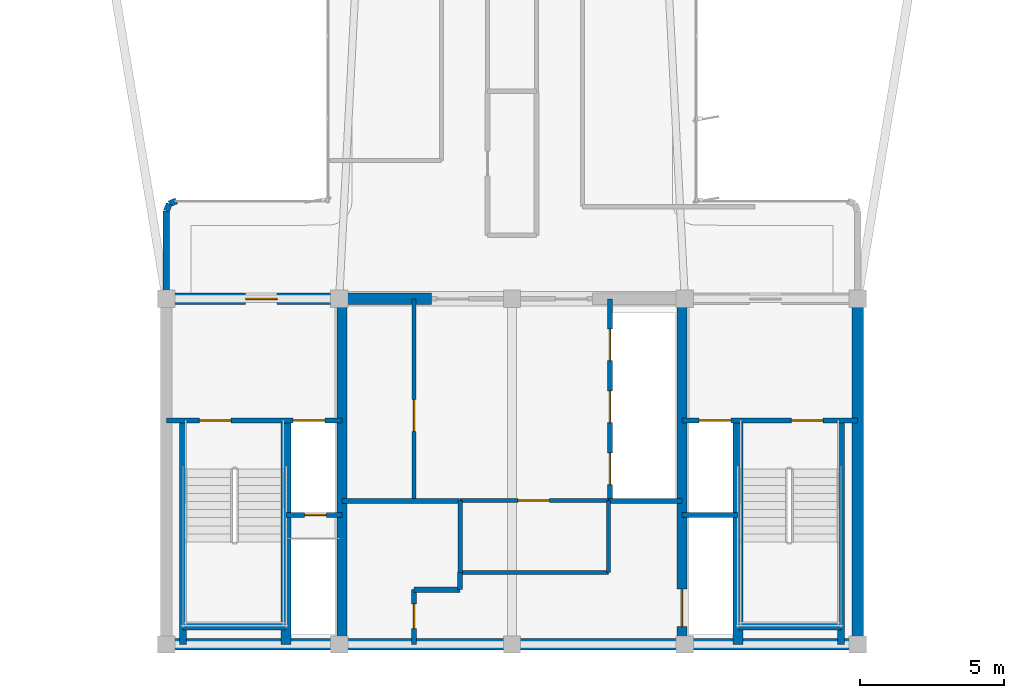
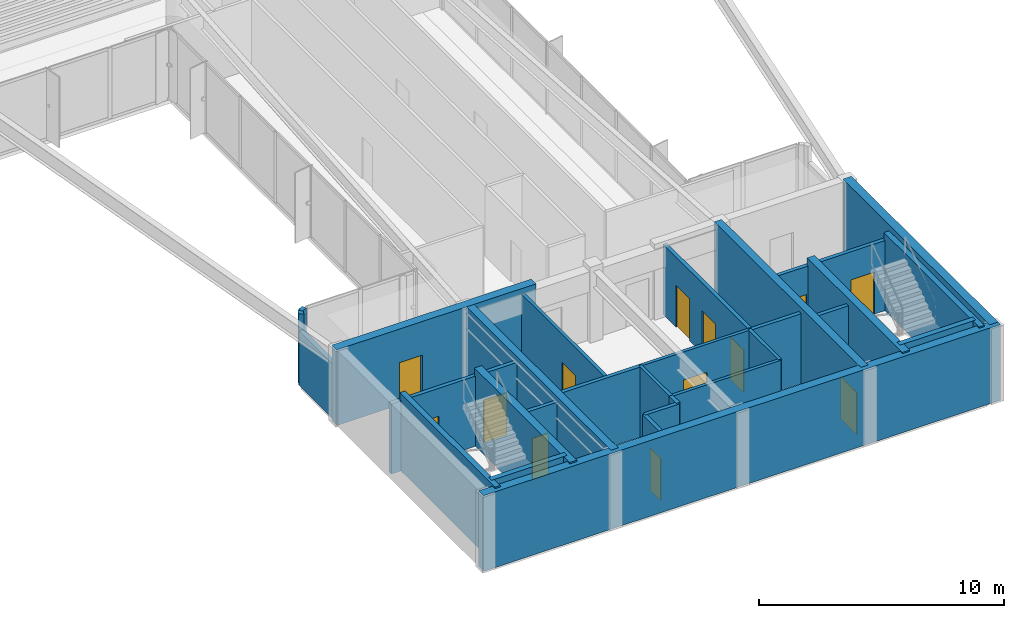
# One storey, part 10 of 15: 29 walls, 13 doors, 13 openings.
"""IFC4 building model written with IfcOpenShell, lengths in metres."""

from ifc_helpers import new_model, si_unit, direction, frame, frame_2d, origin, origin_2d, place, context, subcontext, project, spatial, rectangle, extrude, source, transform, mapped, material, layer, layer_set, type_object, element, fill, save


model = new_model("IFC4")

# Units and contexts
model_context = context("Model", 3, precision=1e-05, world=origin(), true_north=direction((0.0, 1.0)))
body_context = subcontext(model_context, "Body", "Model", "MODEL_VIEW")
ifc_project = project(units=[si_unit("LENGTHUNIT", "METRE"), si_unit("AREAUNIT", "SQUARE_METRE"), si_unit("VOLUMEUNIT", "CUBIC_METRE"), si_unit("PLANEANGLEUNIT", "RADIAN"), si_unit("MASSUNIT", "GRAM", prefix="KILO")], contexts=[model_context])

# Site, building, storey
site_placement = place(None, origin())
site = spatial("IfcSite", under=ifc_project, at=site_placement, CompositionType="ELEMENT")
building_placement = place(site_placement, origin())
building = spatial("IfcBuilding", under=site, at=building_placement, Name="Brelvock Crest Care Tower", CompositionType="ELEMENT")
storey_placement = place(building_placement, frame((0.0, 0.0, 272.159912109375)))
storey = spatial("IfcBuildingStorey", under=building, at=storey_placement, Name="L69", CompositionType="ELEMENT", Elevation=272.159912109375)

# Walls
ifc_material_1 = material(Name="Concrete S65 (65 MPa)", Category="concrete")
ifc_layer_1 = layer(ifc_material_1, 0.39990234375, Name="WL-CS4")
ifc_layer_set_1 = layer_set([ifc_layer_1], Name="Concrete S65 (65 MPa)")
wall_type_1 = type_object("IfcWallType", Name="WL-CS4", PredefinedType="SHEAR", material=ifc_layer_set_1)
wall_1_placement = place(storey_placement, frame((48.199951171875, 6.0, 0.0), z_axis=(0.0, 0.0, 1.0), x_axis=(-1.0, 0.0, 0.0)))
element("IfcWall", 1, at=wall_1_placement, inside=storey, type_object=wall_type_1, Name="L69 Core South Shear Wall", PredefinedType="SHEAR", context=body_context, shape_type="SweptSolid", body=[
    extrude(rectangle(XDim=24.39990234375, YDim=0.39990234375, at=frame_2d((12.199951171875, 0.0))), origin(), (0.0, 0.0, 1.0), 3.780029296875),
])
wall_2_placement = place(storey_placement, frame((48.0, 18.0, 0.0), z_axis=(0.0, 0.0, 1.0), x_axis=(0.0, -1.0, 0.0)))
element("IfcWall", 2, at=wall_2_placement, inside=storey, type_object=wall_type_1, Name="L69 Core East Shear Wall", PredefinedType="SHEAR", context=body_context, shape_type="SweptSolid", body=[
    extrude(rectangle(XDim=12.0, YDim=0.39990234375, at=frame_2d((6.0, 0.0))), origin(), (0.0, 0.0, 1.0), 3.780029296875),
])

# Wall, opening, door
wall_3_placement = place(storey_placement, frame((23.800048828125, 18.0, 0.0), z_axis=(0.0, 0.0, 1.0), x_axis=(1.0, 0.0, 0.0)))
wall_3 = element("IfcWall", 3, at=wall_3_placement, inside=storey, type_object=wall_type_1, Name="L69 Core North-West Shear Wall", PredefinedType="SHEAR", context=body_context, shape_type="SweptSolid", body=[
    extrude(rectangle(XDim=9.39990234375, YDim=0.39990234375, at=frame_2d((4.699951171875, 0.0))), origin(), (0.0, 0.0, 1.0), 3.780029296875),
])
opening_1_placement = place(wall_3_placement, frame((2.949951171875, 0.0, 0.0)))
opening_1 = element("IfcOpeningElement", 4, at=opening_1_placement, cuts=wall_3, Name="Opening FD-1", PredefinedType="OPENING", context=body_context, shape_type="SweptSolid", body=[
    extrude(rectangle(XDim=1.10009765625, YDim=2.10009765625, at=origin_2d()), frame((0.550048828125, 0.2099609375, 1.050048828125), z_axis=(0.0, -1.0, 0.0), x_axis=(1.0, 0.0, 0.0)), (0.0, 0.0, 1.0), 0.419921875),
])
ifc_material_2 = material(Name="Steel Grade 350", Category="steel")
door_type_1 = type_object("IfcDoorType", Name="DR-FFL1", OperationType="NOTDEFINED", PredefinedType="DOOR", material=ifc_material_2)
shared_shape_1 = source(origin(), body_context, "Body", "SweptSolid", [
    extrude(rectangle(XDim=1.10009765625, YDim=2.10009765625, at=origin_2d()), frame((0.550048828125, 0.02490234375, 1.050048828125), z_axis=(0.0, -1.0, 0.0), x_axis=(1.0, 0.0, 0.0)), (0.0, 0.0, 1.0), 0.050048828125),
])
door_1_placement = place(opening_1_placement, origin())
door_1 = element("IfcDoor", 5, at=door_1_placement, inside=storey, type_object=door_type_1, Name="L69 Firefighting Lobby FFL-1 Exit Door", OperationType="SINGLE_SWING_LEFT", OverallHeight=2.10009765625, OverallWidth=1.10009765625, PredefinedType="DOOR", context=body_context, shape_type="MappedRepresentation", body=[
    mapped(shared_shape_1, transform((0.0, 0.0, 0.0), x_axis=(1.0, 0.0, 0.0), y_axis=(0.0, 1.0, 0.0), z_axis=(0.0, 0.0, 1.0), scale=1.0)),
])
fill(opening_1, door_1)

# Wall
ifc_material_3 = material(Name="Concrete S80 (80 MPa)", Category="concrete")
ifc_layer_2 = layer(ifc_material_3, 0.35009765625, Name="WL-CS5")
ifc_layer_set_2 = layer_set([ifc_layer_2], Name="Concrete S80 (80 MPa)")
wall_type_2 = type_object("IfcWallType", Name="WL-CS5", PredefinedType="SHEAR", material=ifc_layer_set_2)
wall_4_placement = place(storey_placement, frame((30.10009765625, 6.0, 0.0), z_axis=(0.0, 0.0, 1.0), x_axis=(0.0, 1.0, 0.0)))
element("IfcWall", 6, at=wall_4_placement, inside=storey, type_object=wall_type_2, Name="L69 Core Internal Web Wall West", PredefinedType="SHEAR", context=body_context, shape_type="SweptSolid", body=[
    extrude(rectangle(XDim=12.0, YDim=0.35009765625, at=frame_2d((6.0, 0.0))), origin(), (0.0, 0.0, 1.0), 3.780029296875),
])

# Wall, opening, door
wall_5_placement = place(storey_placement, frame((41.89990234375, 18.0, 0.0), z_axis=(0.0, 0.0, 1.0), x_axis=(0.0, -1.0, 0.0)))
wall_5 = element("IfcWall", 7, at=wall_5_placement, inside=storey, type_object=wall_type_2, Name="L69 Core Internal Web Wall East", PredefinedType="SHEAR", context=body_context, shape_type="SweptSolid", body=[
    extrude(rectangle(XDim=12.0, YDim=0.35009765625, at=frame_2d((6.0, 0.0))), origin(), (0.0, 0.0, 1.0), 3.780029296875),
])
opening_2_placement = place(wall_5_placement, frame((10.080078125, 0.0, 0.0)))
opening_2 = element("IfcOpeningElement", 8, at=opening_2_placement, cuts=wall_5, Name="Opening LD-S", PredefinedType="OPENING", context=body_context, shape_type="SweptSolid", body=[
    extrude(rectangle(XDim=1.300048828125, YDim=2.10009765625, at=origin_2d()), frame((0.64990234375, 0.18505859375, 1.050048828125), z_axis=(0.0, -1.0, 0.0), x_axis=(1.0, 0.0, 0.0)), (0.0, 0.0, 1.0), 0.3701171875),
])
door_type_2 = type_object("IfcDoorType", Name="DR-LDS1", OperationType="NOTDEFINED", PredefinedType="DOOR", material=ifc_material_2)
shared_shape_2 = source(origin(), body_context, "Body", "SweptSolid", [
    extrude(rectangle(XDim=1.300048828125, YDim=2.10009765625, at=origin_2d()), frame((0.64990234375, 0.02490234375, 1.050048828125), z_axis=(0.0, -1.0, 0.0), x_axis=(1.0, 0.0, 0.0)), (0.0, 0.0, 1.0), 0.050048828125),
])
door_2_placement = place(opening_2_placement, origin())
door_2 = element("IfcDoor", 9, at=door_2_placement, inside=storey, type_object=door_type_2, Name="L69 Clinical Bed Lift SL-1 Landing Door", OperationType="SLIDING_TO_LEFT", OverallHeight=2.10009765625, OverallWidth=1.300048828125, PredefinedType="DOOR", context=body_context, shape_type="MappedRepresentation", body=[
    mapped(shared_shape_2, transform((0.0, 0.0, 0.0), x_axis=(1.0, 0.0, 0.0), y_axis=(0.0, 1.0, 0.0), z_axis=(0.0, 0.0, 1.0), scale=1.0)),
])
fill(opening_2, door_2)

# Walls
for number, where, z_axis, x_axis, name in (
    (10, (28.14990234375, 6.0, 0.0), (0.0, 0.0, 1.0), (0.0, 1.0, 0.0), "L69 Core Stair ST-1 East Shear Wall"),
    (11, (43.85009765625, 6.0, 0.0), (0.0, 0.0, 1.0), (0.0, 1.0, 0.0), "L69 Core Stair ST-2 West Shear Wall"),
):
    element("IfcWall", number, at=place(storey_placement, frame(where, z_axis=z_axis, x_axis=x_axis)), inside=storey, type_object=wall_type_2, Name=name, PredefinedType="SHEAR", context=body_context, shape_type="SweptSolid", body=[
        extrude(rectangle(XDim=7.780029296875, YDim=0.35009765625, at=frame_2d((3.89013671875, 0.0))), origin(), (0.0, 0.0, 1.0), 3.85009765625),
    ])
ifc_layer_3 = layer(ifc_material_3, 0.25, Name="WL-CS6")
ifc_layer_set_3 = layer_set([ifc_layer_3], Name="Concrete S80 (80 MPa)")
wall_type_3 = type_object("IfcWallType", Name="WL-CS6", PredefinedType="SHEAR", material=ifc_layer_set_3)
wall_6_placement = place(storey_placement, frame((24.580078125, 6.0, 0.0), z_axis=(0.0, 0.0, 1.0), x_axis=(0.0, 1.0, 0.0)))
element("IfcWall", 12, at=wall_6_placement, inside=storey, type_object=wall_type_3, Name="L69 Core Stair ST-1 West Shear Wall", PredefinedType="SHEAR", context=body_context, shape_type="SweptSolid", body=[
    extrude(rectangle(XDim=7.780029296875, YDim=0.25, at=frame_2d((3.89013671875, 0.0))), origin(), (0.0, 0.0, 1.0), 3.85009765625),
])
wall_7_placement = place(storey_placement, frame((24.580078125, 6.6201171875, 0.0), z_axis=(0.0, 0.0, 1.0), x_axis=(1.0, 0.0, 0.0)))
element("IfcWall", 13, at=wall_7_placement, inside=storey, type_object=wall_type_3, Name="L69 Core Stair ST-1 South Shear Wall", PredefinedType="SHEAR", context=body_context, shape_type="SweptSolid", body=[
    extrude(rectangle(XDim=3.56982421875, YDim=0.25, at=frame_2d((1.784912109375, 0.0))), origin(), (0.0, 0.0, 1.0), 3.85009765625),
])
wall_8_placement = place(storey_placement, frame((47.419921875, 6.0, 0.0), z_axis=(0.0, 0.0, 1.0), x_axis=(0.0, 1.0, 0.0)))
element("IfcWall", 14, at=wall_8_placement, inside=storey, type_object=wall_type_3, Name="L69 Core Stair ST-2 East Shear Wall", PredefinedType="SHEAR", context=body_context, shape_type="SweptSolid", body=[
    extrude(rectangle(XDim=7.780029296875, YDim=0.25, at=frame_2d((3.89013671875, 0.0))), origin(), (0.0, 0.0, 1.0), 3.85009765625),
])
wall_9_placement = place(storey_placement, frame((43.85009765625, 6.6201171875, 0.0), z_axis=(0.0, 0.0, 1.0), x_axis=(1.0, 0.0, 0.0)))
element("IfcWall", 15, at=wall_9_placement, inside=storey, type_object=wall_type_3, Name="L69 Core Stair ST-2 South Shear Wall", PredefinedType="SHEAR", context=body_context, shape_type="SweptSolid", body=[
    extrude(rectangle(XDim=3.56982421875, YDim=0.25, at=frame_2d((1.784912109375, 0.0))), origin(), (0.0, 0.0, 1.0), 3.85009765625),
])
ifc_material_4 = material(Name="Precast concrete N40 (40 MPa)", Category="concrete")
ifc_layer_4 = layer(ifc_material_4, 0.215087890625, Name="WL-EX2")
ifc_layer_set_4 = layer_set([ifc_layer_4], Name="Precast concrete N40 (40 MPa)")
wall_type_4 = type_object("IfcWallType", Name="WL-EX2", PredefinedType="SOLIDWALL", material=ifc_layer_set_4)
wall_10_placement = place(storey_placement, frame((24.0, 18.280029296875, 0.0), z_axis=(0.0, 0.0, 1.0), x_axis=(0.0, 1.0, 0.0)))
element("IfcWall", 16, at=wall_10_placement, inside=storey, type_object=wall_type_4, Name="L69 Rounded Corner Wall 07", PredefinedType="SOLIDWALL", context=body_context, shape_type="SweptSolid", body=[
    extrude(rectangle(XDim=2.77001953125, YDim=0.215087890625, at=frame_2d((1.385009765625, 0.0))), origin(), (0.0, 0.0, 1.0), 2.718017578125),
])
wall_11_placement = place(storey_placement, frame((24.0, 21.050048828125, 0.0), z_axis=(0.0, 0.0, 1.0), x_axis=(0.382673670509, 0.923883575944, 0.0)))
element("IfcWall", 17, at=wall_11_placement, inside=storey, type_object=wall_type_4, Name="L69 Rounded Corner Wall 08", PredefinedType="SOLIDWALL", context=body_context, shape_type="SweptSolid", body=[
    extrude(rectangle(XDim=0.26806640625, YDim=0.215087890625, at=frame_2d((0.134033203125, 0.0))), origin(), (0.0, 0.0, 1.0), 3.530029296875),
])
wall_12_placement = place(storey_placement, frame((24.1025390625, 21.297607421875, 0.0), z_axis=(0.0, 0.0, 1.0), x_axis=(0.924205486139, 0.381895560841, 0.0)))
element("IfcWall", 18, at=wall_12_placement, inside=storey, type_object=wall_type_4, Name="L69 Rounded Corner Wall 09", PredefinedType="SOLIDWALL", context=body_context, shape_type="SweptSolid", body=[
    extrude(rectangle(XDim=0.267822265625, YDim=0.215087890625, at=frame_2d((0.1337890625, 0.0))), origin(), (0.0, 0.0, 1.0), 3.530029296875),
])

# Wall, opening, door
ifc_material_5 = material(Name="Masonry Blockwork Acoustic Partition", Category="masonry")
ifc_layer_5 = layer(ifc_material_5, 0.14990234375, Name="WL-INT1")
ifc_layer_set_5 = layer_set([ifc_layer_5], Name="Masonry Blockwork Acoustic Partition")
wall_type_5 = type_object("IfcWallType", Name="WL-INT1", PredefinedType="PARTITIONING", material=ifc_layer_set_5)
wall_13_placement = place(storey_placement, frame((32.60009765625, 11.0, 0.0), z_axis=(0.0, 0.0, 1.0), x_axis=(0.0, 1.0, 0.0)))
wall_13 = element("IfcWall", 19, at=wall_13_placement, inside=storey, type_object=wall_type_5, Name="L69 Interior Wall WL-CRCL-E-L69", PredefinedType="PARTITIONING", context=body_context, shape_type="SweptSolid", body=[
    extrude(rectangle(XDim=7.0, YDim=0.14990234375, at=frame_2d((3.5, 0.0))), origin(), (0.0, 0.0, 1.0), 3.5),
])
opening_3_placement = place(wall_13_placement, frame((2.39990234375, 0.0, 0.0)))
opening_3 = element("IfcOpeningElement", 20, at=opening_3_placement, cuts=wall_13, Name="Opening PD-1", PredefinedType="OPENING", context=body_context, shape_type="SweptSolid", body=[
    extrude(rectangle(XDim=1.10009765625, YDim=2.10009765625, at=origin_2d()), frame((0.550048828125, 0.0849609375, 1.050048828125), z_axis=(0.0, -1.0, 0.0), x_axis=(1.0, 0.0, 0.0)), (0.0, 0.0, 1.0), 0.169921875),
])
door_type_3 = type_object("IfcDoorType", Name="DR-PLT1", OperationType="NOTDEFINED", PredefinedType="DOOR", material=ifc_material_2)
shared_shape_3 = source(origin(), body_context, "Body", "SweptSolid", [
    extrude(rectangle(XDim=1.10009765625, YDim=2.10009765625, at=origin_2d()), frame((0.550048828125, 0.02490234375, 1.050048828125), z_axis=(0.0, -1.0, 0.0), x_axis=(1.0, 0.0, 0.0)), (0.0, 0.0, 1.0), 0.050048828125),
])
door_3_placement = place(opening_3_placement, origin())
door_3 = element("IfcDoor", 21, at=door_3_placement, inside=storey, type_object=door_type_3, Name="DR-CRCL1-L69", OperationType="SINGLE_SWING_LEFT", OverallHeight=2.10009765625, OverallWidth=1.10009765625, PredefinedType="DOOR", context=body_context, shape_type="MappedRepresentation", body=[
    mapped(shared_shape_3, transform((0.0, 0.0, 0.0), x_axis=(1.0, 0.0, 0.0), y_axis=(0.0, 1.0, 0.0), z_axis=(0.0, 0.0, 1.0), scale=1.0)),
])
fill(opening_3, door_3)

# Walls
wall_14_placement = place(storey_placement, frame((34.199951171875, 8.5, 0.0), z_axis=(0.0, 0.0, 1.0), x_axis=(1.0, 0.0, 0.0)))
element("IfcWall", 22, at=wall_14_placement, inside=storey, type_object=wall_type_5, Name="L69 Interior Wall WL-CRCM-S-L69", PredefinedType="PARTITIONING", context=body_context, shape_type="SweptSolid", body=[
    extrude(rectangle(XDim=5.150146484375, YDim=0.14990234375, at=frame_2d((2.5751953125, 0.0))), origin(), (0.0, 0.0, 1.0), 3.5),
])
for number, where, z_axis, x_axis, name in (
    (23, (34.199951171875, 8.5, 0.0), (0.0, 0.0, 1.0), (0.0, 1.0, 0.0), "L69 Interior Wall WL-CRCM-W-L69"),
    (24, (39.35009765625, 8.5, 0.0), (0.0, 0.0, 1.0), (0.0, 1.0, 0.0), "L69 Interior Wall WL-CRCM-E-L69"),
):
    element("IfcWall", number, at=place(storey_placement, frame(where, z_axis=z_axis, x_axis=x_axis)), inside=storey, type_object=wall_type_5, Name=name, PredefinedType="PARTITIONING", context=body_context, shape_type="SweptSolid", body=[
        extrude(rectangle(XDim=2.5, YDim=0.14990234375, at=frame_2d((1.25, 0.0))), origin(), (0.0, 0.0, 1.0), 3.5),
    ])

# Wall, opening, door
wall_15_placement = place(storey_placement, frame((34.199951171875, 11.0, 0.0), z_axis=(0.0, 0.0, 1.0), x_axis=(1.0, 0.0, 0.0)))
wall_15 = element("IfcWall", 25, at=wall_15_placement, inside=storey, type_object=wall_type_5, Name="L69 Interior Wall WL-CRCM-N-L69", PredefinedType="PARTITIONING", context=body_context, shape_type="SweptSolid", body=[
    extrude(rectangle(XDim=5.150146484375, YDim=0.14990234375, at=frame_2d((2.5751953125, 0.0))), origin(), (0.0, 0.0, 1.0), 3.5),
])
opening_4_placement = place(wall_15_placement, frame((2.0, 0.0, 0.0)))
opening_4 = element("IfcOpeningElement", 26, at=opening_4_placement, cuts=wall_15, Name="Opening PD-1", PredefinedType="OPENING", context=body_context, shape_type="SweptSolid", body=[
    extrude(rectangle(XDim=1.10009765625, YDim=2.10009765625, at=origin_2d()), frame((0.550048828125, 0.0849609375, 1.050048828125), z_axis=(0.0, -1.0, 0.0), x_axis=(1.0, 0.0, 0.0)), (0.0, 0.0, 1.0), 0.169921875),
])
door_4_placement = place(opening_4_placement, origin())
door_4 = element("IfcDoor", 27, at=door_4_placement, inside=storey, type_object=door_type_3, Name="DR-CRCM1-L69", OperationType="SINGLE_SWING_LEFT", OverallHeight=2.10009765625, OverallWidth=1.10009765625, PredefinedType="DOOR", context=body_context, shape_type="MappedRepresentation", body=[
    mapped(shared_shape_3, transform((0.0, 0.0, 0.0), x_axis=(1.0, 0.0, 0.0), y_axis=(0.0, 1.0, 0.0), z_axis=(0.0, 0.0, 1.0), scale=1.0)),
])
fill(opening_4, door_4)

# Walls
ifc_layer_6 = layer(ifc_material_5, 0.179931640625, Name="WL-SHF1")
ifc_layer_set_6 = layer_set([ifc_layer_6], Name="Masonry Blockwork Acoustic Partition")
wall_type_6 = type_object("IfcWallType", Name="WL-SHF1", PredefinedType="PARTITIONING", material=ifc_layer_set_6)
wall_16_placement = place(storey_placement, frame((30.10009765625, 10.97998046875, 0.0), z_axis=(0.0, 0.0, 1.0), x_axis=(1.0, 0.0, 0.0)))
element("IfcWall", 28, at=wall_16_placement, inside=storey, type_object=wall_type_6, Name="L69 Interior Wall WL-CSBW-N-L69", PredefinedType="PARTITIONING", context=body_context, shape_type="SweptSolid", body=[
    extrude(rectangle(XDim=4.079833984375, YDim=0.179931640625, at=frame_2d((2.0400390625, 0.0))), origin(), (0.0, 0.0, 1.0), 3.5),
])
wall_17_placement = place(storey_placement, frame((34.199951171875, 7.89990234375, 0.0), z_axis=(0.0, 0.0, 1.0), x_axis=(0.0, 1.0, 0.0)))
element("IfcWall", 29, at=wall_17_placement, inside=storey, type_object=wall_type_6, Name="L69 Interior Wall WL-CSBW-E2-L69", PredefinedType="PARTITIONING", context=body_context, shape_type="SweptSolid", body=[
    extrude(rectangle(XDim=0.60009765625, YDim=0.179931640625, at=frame_2d((0.300048828125, 0.0))), origin(), (0.0, 0.0, 1.0), 3.5),
])
wall_18_placement = place(storey_placement, frame((32.60009765625, 7.89990234375, 0.0), z_axis=(0.0, 0.0, 1.0), x_axis=(1.0, 0.0, 0.0)))
element("IfcWall", 30, at=wall_18_placement, inside=storey, type_object=wall_type_6, Name="L69 Interior Wall WL-CSBW-S2-L69", PredefinedType="PARTITIONING", context=body_context, shape_type="SweptSolid", body=[
    extrude(rectangle(XDim=1.599853515625, YDim=0.179931640625, at=frame_2d((0.7998046875, 0.0))), origin(), (0.0, 0.0, 1.0), 3.5),
])

# Wall, opening, door
wall_19_placement = place(storey_placement, frame((32.60009765625, 6.0, 0.0), z_axis=(0.0, 0.0, 1.0), x_axis=(0.0, 1.0, 0.0)))
wall_19 = element("IfcWall", 31, at=wall_19_placement, inside=storey, type_object=wall_type_6, Name="L69 Interior Wall WL-CSBW-E1-L69", PredefinedType="PARTITIONING", context=body_context, shape_type="SweptSolid", body=[
    extrude(rectangle(XDim=1.89990234375, YDim=0.179931640625, at=frame_2d((0.949951171875, 0.0))), origin(), (0.0, 0.0, 1.0), 3.5),
])
opening_5_placement = place(wall_19_placement, frame((0.550048828125, 0.0, 0.0)))
opening_5 = element("IfcOpeningElement", 32, at=opening_5_placement, cuts=wall_19, Name="Opening ID-1", PredefinedType="OPENING", context=body_context, shape_type="SweptSolid", body=[
    extrude(rectangle(XDim=0.860107421875, YDim=2.10009765625, at=origin_2d()), frame((0.43017578125, 0.10009765625, 1.050048828125), z_axis=(0.0, -1.0, 0.0), x_axis=(1.0, 0.0, 0.0)), (0.0, 0.0, 1.0), 0.199951171875),
])
ifc_material_6 = material(Name="Engineered Hardwood Timber", Category="wood")
door_type_4 = type_object("IfcDoorType", Name="DR-INT1", OperationType="NOTDEFINED", PredefinedType="DOOR", material=ifc_material_6)
shared_shape_4 = source(origin(), body_context, "Body", "SweptSolid", [
    extrude(rectangle(XDim=0.860107421875, YDim=2.10009765625, at=origin_2d()), frame((0.43017578125, 0.02490234375, 1.050048828125), z_axis=(0.0, -1.0, 0.0), x_axis=(1.0, 0.0, 0.0)), (0.0, 0.0, 1.0), 0.050048828125),
])
door_5_placement = place(opening_5_placement, origin())
door_5 = element("IfcDoor", 33, at=door_5_placement, inside=storey, type_object=door_type_4, Name="DR-CSBW-L69", OperationType="SINGLE_SWING_LEFT", OverallHeight=2.10009765625, OverallWidth=0.860107421875, PredefinedType="DOOR", context=body_context, shape_type="MappedRepresentation", body=[
    mapped(shared_shape_4, transform((0.0, 0.0, 0.0), x_axis=(1.0, 0.0, 0.0), y_axis=(0.0, 1.0, 0.0), z_axis=(0.0, 0.0, 1.0), scale=1.0)),
])
fill(opening_5, door_5)

# Wall
wall_20_placement = place(storey_placement, frame((39.35009765625, 10.97998046875, 0.0), z_axis=(0.0, 0.0, 1.0), x_axis=(1.0, 0.0, 0.0)))
element("IfcWall", 34, at=wall_20_placement, inside=storey, type_object=wall_type_6, Name="L69 Interior Wall WL-CSBE-N-L69", PredefinedType="PARTITIONING", context=body_context, shape_type="SweptSolid", body=[
    extrude(rectangle(XDim=2.5498046875, YDim=0.179931640625, at=frame_2d((1.27490234375, 0.0))), origin(), (0.0, 0.0, 1.0), 3.5),
])

# Wall, openings, doors
wall_21_placement = place(storey_placement, frame((24.0, 13.780029296875, 0.0), z_axis=(0.0, 0.0, 1.0), x_axis=(1.0, 0.0, 0.0)))
wall_21 = element("IfcWall", 35, at=wall_21_placement, inside=storey, type_object=wall_type_6, Name="L69 Interior Wall WL-ST1-N-L69", PredefinedType="PARTITIONING", context=body_context, shape_type="SweptSolid", body=[
    extrude(rectangle(XDim=6.10009765625, YDim=0.179931640625, at=frame_2d((3.050048828125, 0.0))), origin(), (0.0, 0.0, 1.0), 3.5),
])
opening_6_placement = place(wall_21_placement, frame((1.14990234375, 0.0, 0.0)))
opening_6 = element("IfcOpeningElement", 36, at=opening_6_placement, cuts=wall_21, Name="Opening SD-1", PredefinedType="OPENING", context=body_context, shape_type="SweptSolid", body=[
    extrude(rectangle(XDim=1.10009765625, YDim=2.10009765625, at=origin_2d()), frame((0.550048828125, 0.10009765625, 1.050048828125), z_axis=(0.0, -1.0, 0.0), x_axis=(1.0, 0.0, 0.0)), (0.0, 0.0, 1.0), 0.199951171875),
])
opening_7_placement = place(wall_21_placement, frame((4.39990234375, 0.0, 0.0)))
opening_7 = element("IfcOpeningElement", 37, at=opening_7_placement, cuts=wall_21, Name="Opening LD", PredefinedType="OPENING", context=body_context, shape_type="SweptSolid", body=[
    extrude(rectangle(XDim=1.10009765625, YDim=2.10009765625, at=origin_2d()), frame((0.550048828125, 0.10009765625, 1.050048828125), z_axis=(0.0, -1.0, 0.0), x_axis=(1.0, 0.0, 0.0)), (0.0, 0.0, 1.0), 0.199951171875),
])
door_type_5 = type_object("IfcDoorType", Name="DR-ST1", OperationType="NOTDEFINED", PredefinedType="DOOR", material=ifc_material_2)
shared_shape_5 = source(origin(), body_context, "Body", "SweptSolid", [
    extrude(rectangle(XDim=1.10009765625, YDim=2.10009765625, at=origin_2d()), frame((0.550048828125, 0.02490234375, 1.050048828125), z_axis=(0.0, -1.0, 0.0), x_axis=(1.0, 0.0, 0.0)), (0.0, 0.0, 1.0), 0.050048828125),
])
door_6_placement = place(opening_6_placement, origin())
door_6 = element("IfcDoor", 38, at=door_6_placement, inside=storey, type_object=door_type_5, Name="L69 Fire Stair ST-1 Door", OperationType="SINGLE_SWING_LEFT", OverallHeight=2.10009765625, OverallWidth=1.10009765625, PredefinedType="DOOR", context=body_context, shape_type="MappedRepresentation", body=[
    mapped(shared_shape_5, transform((0.0, 0.0, 0.0), x_axis=(1.0, 0.0, 0.0), y_axis=(0.0, 1.0, 0.0), z_axis=(0.0, 0.0, 1.0), scale=1.0)),
])
fill(opening_6, door_6)
door_type_6 = type_object("IfcDoorType", Name="DR-LD1", OperationType="NOTDEFINED", PredefinedType="DOOR", material=ifc_material_2)
shared_shape_6 = source(origin(), body_context, "Body", "SweptSolid", [
    extrude(rectangle(XDim=1.10009765625, YDim=2.10009765625, at=origin_2d()), frame((0.550048828125, 0.02490234375, 1.050048828125), z_axis=(0.0, -1.0, 0.0), x_axis=(1.0, 0.0, 0.0)), (0.0, 0.0, 1.0), 0.050048828125),
])
door_7_placement = place(opening_7_placement, origin())
door_7 = element("IfcDoor", 39, at=door_7_placement, inside=storey, type_object=door_type_6, Name="L69 Firefighting Lift FFL-1 Landing Door", OperationType="SLIDING_TO_LEFT", OverallHeight=2.10009765625, OverallWidth=1.10009765625, PredefinedType="DOOR", context=body_context, shape_type="MappedRepresentation", body=[
    mapped(shared_shape_6, transform((0.0, 0.0, 0.0), x_axis=(1.0, 0.0, 0.0), y_axis=(0.0, 1.0, 0.0), z_axis=(0.0, 0.0, 1.0), scale=1.0)),
])
fill(opening_7, door_7)

# Wall, opening, door
wall_22_placement = place(storey_placement, frame((28.14990234375, 10.5, 0.0), z_axis=(0.0, 0.0, 1.0), x_axis=(1.0, 0.0, 0.0)))
wall_22 = element("IfcWall", 40, at=wall_22_placement, inside=storey, type_object=wall_type_6, Name="L69 Interior Wall WL-FFH1-S-L69", PredefinedType="PARTITIONING", context=body_context, shape_type="SweptSolid", body=[
    extrude(rectangle(XDim=1.9501953125, YDim=0.179931640625, at=frame_2d((0.97509765625, 0.0))), origin(), (0.0, 0.0, 1.0), 3.5),
])
opening_8_placement = place(wall_22_placement, frame((0.64990234375, 0.0, 0.0)))
opening_8 = element("IfcOpeningElement", 41, at=opening_8_placement, cuts=wall_22, Name="Opening RD-1", PredefinedType="OPENING", context=body_context, shape_type="SweptSolid", body=[
    extrude(rectangle(XDim=0.760009765625, YDim=2.050048828125, at=origin_2d()), frame((0.3798828125, 0.10009765625, 1.02490234375), z_axis=(0.0, -1.0, 0.0), x_axis=(1.0, 0.0, 0.0)), (0.0, 0.0, 1.0), 0.199951171875),
])
door_type_7 = type_object("IfcDoorType", Name="DR-RIS1", OperationType="NOTDEFINED", PredefinedType="DOOR", material=ifc_material_2)
shared_shape_7 = source(origin(), body_context, "Body", "SweptSolid", [
    extrude(rectangle(XDim=0.760009765625, YDim=2.050048828125, at=origin_2d()), frame((0.3798828125, 0.02490234375, 1.02490234375), z_axis=(0.0, -1.0, 0.0), x_axis=(1.0, 0.0, 0.0)), (0.0, 0.0, 1.0), 0.050048828125),
])
door_8_placement = place(opening_8_placement, origin())
door_8 = element("IfcDoor", 42, at=door_8_placement, inside=storey, type_object=door_type_7, Name="L69 Wet Fire Riser Access Door", OperationType="SINGLE_SWING_LEFT", OverallHeight=2.050048828125, OverallWidth=0.760009765625, PredefinedType="DOOR", context=body_context, shape_type="MappedRepresentation", body=[
    mapped(shared_shape_7, transform((0.0, 0.0, 0.0), x_axis=(1.0, 0.0, 0.0), y_axis=(0.0, 1.0, 0.0), z_axis=(0.0, 0.0, 1.0), scale=1.0)),
])
fill(opening_8, door_8)

# Wall, openings, doors
wall_23_placement = place(storey_placement, frame((41.89990234375, 13.780029296875, 0.0), z_axis=(0.0, 0.0, 1.0), x_axis=(1.0, 0.0, 0.0)))
wall_23 = element("IfcWall", 43, at=wall_23_placement, inside=storey, type_object=wall_type_6, Name="L69 Interior Wall WL-ST2-N-L69", PredefinedType="PARTITIONING", context=body_context, shape_type="SweptSolid", body=[
    extrude(rectangle(XDim=6.10009765625, YDim=0.179931640625, at=frame_2d((3.050048828125, 0.0))), origin(), (0.0, 0.0, 1.0), 3.5),
])
opening_9_placement = place(wall_23_placement, frame((0.60009765625, 0.0, 0.0)))
opening_9 = element("IfcOpeningElement", 44, at=opening_9_placement, cuts=wall_23, Name="Opening LD", PredefinedType="OPENING", context=body_context, shape_type="SweptSolid", body=[
    extrude(rectangle(XDim=1.10009765625, YDim=2.10009765625, at=origin_2d()), frame((0.550048828125, 0.10009765625, 1.050048828125), z_axis=(0.0, -1.0, 0.0), x_axis=(1.0, 0.0, 0.0)), (0.0, 0.0, 1.0), 0.199951171875),
])
opening_10_placement = place(wall_23_placement, frame((3.800048828125, 0.0, 0.0)))
opening_10 = element("IfcOpeningElement", 45, at=opening_10_placement, cuts=wall_23, Name="Opening SD-1", PredefinedType="OPENING", context=body_context, shape_type="SweptSolid", body=[
    extrude(rectangle(XDim=1.10009765625, YDim=2.10009765625, at=origin_2d()), frame((0.550048828125, 0.10009765625, 1.050048828125), z_axis=(0.0, -1.0, 0.0), x_axis=(1.0, 0.0, 0.0)), (0.0, 0.0, 1.0), 0.199951171875),
])
door_9_placement = place(opening_10_placement, origin())
door_9 = element("IfcDoor", 46, at=door_9_placement, inside=storey, type_object=door_type_5, Name="L69 Fire Stair ST-2 Door", OperationType="SINGLE_SWING_RIGHT", OverallHeight=2.10009765625, OverallWidth=1.10009765625, PredefinedType="DOOR", context=body_context, shape_type="MappedRepresentation", body=[
    mapped(shared_shape_5, transform((0.0, 0.0, 0.0), x_axis=(1.0, 0.0, 0.0), y_axis=(0.0, 1.0, 0.0), z_axis=(0.0, 0.0, 1.0), scale=1.0)),
])
fill(opening_10, door_9)
door_10_placement = place(opening_9_placement, origin())
door_10 = element("IfcDoor", 47, at=door_10_placement, inside=storey, type_object=door_type_6, Name="L69 Firefighting Lift FFL-2 Landing Door", OperationType="SLIDING_TO_RIGHT", OverallHeight=2.10009765625, OverallWidth=1.10009765625, PredefinedType="DOOR", context=body_context, shape_type="MappedRepresentation", body=[
    mapped(shared_shape_6, transform((0.0, 0.0, 0.0), x_axis=(1.0, 0.0, 0.0), y_axis=(0.0, 1.0, 0.0), z_axis=(0.0, 0.0, 1.0), scale=1.0)),
])
fill(opening_9, door_10)

# Wall
wall_24_placement = place(storey_placement, frame((41.89990234375, 10.5, 0.0), z_axis=(0.0, 0.0, 1.0), x_axis=(1.0, 0.0, 0.0)))
element("IfcWall", 48, at=wall_24_placement, inside=storey, type_object=wall_type_6, Name="L69 Interior Wall WL-FFH2-S-L69", PredefinedType="PARTITIONING", context=body_context, shape_type="SweptSolid", body=[
    extrude(rectangle(XDim=1.9501953125, YDim=0.179931640625, at=frame_2d((0.97509765625, 0.0))), origin(), (0.0, 0.0, 1.0), 3.5),
])

# Wall, openings, doors
wall_25_placement = place(storey_placement, frame((39.39990234375, 11.0, 0.0), z_axis=(0.0, 0.0, 1.0), x_axis=(0.0, 1.0, 0.0)))
wall_25 = element("IfcWall", 49, at=wall_25_placement, inside=storey, type_object=wall_type_6, Name="L69 Interior Wall WL-PLH-BANK-L69", PredefinedType="PARTITIONING", context=body_context, shape_type="SweptSolid", body=[
    extrude(rectangle(XDim=7.0, YDim=0.179931640625, at=frame_2d((3.5, 0.0))), origin(), (0.0, 0.0, 1.0), 3.5),
])
opening_11_placement = place(wall_25_placement, frame((0.550048828125, 0.0, 0.0)))
opening_11 = element("IfcOpeningElement", 50, at=opening_11_placement, cuts=wall_25, Name="Opening LD", PredefinedType="OPENING", context=body_context, shape_type="SweptSolid", body=[
    extrude(rectangle(XDim=1.10009765625, YDim=2.10009765625, at=origin_2d()), frame((0.550048828125, 0.10009765625, 1.050048828125), z_axis=(0.0, -1.0, 0.0), x_axis=(1.0, 0.0, 0.0)), (0.0, 0.0, 1.0), 0.199951171875),
])
opening_12_placement = place(wall_25_placement, frame((2.699951171875, 0.0, 0.0)))
opening_12 = element("IfcOpeningElement", 51, at=opening_12_placement, cuts=wall_25, Name="Opening LD", PredefinedType="OPENING", context=body_context, shape_type="SweptSolid", body=[
    extrude(rectangle(XDim=1.10009765625, YDim=2.10009765625, at=origin_2d()), frame((0.550048828125, 0.10009765625, 1.050048828125), z_axis=(0.0, -1.0, 0.0), x_axis=(1.0, 0.0, 0.0)), (0.0, 0.0, 1.0), 0.199951171875),
])
opening_13_placement = place(wall_25_placement, frame((4.85009765625, 0.0, 0.0)))
opening_13 = element("IfcOpeningElement", 52, at=opening_13_placement, cuts=wall_25, Name="Opening LD", PredefinedType="OPENING", context=body_context, shape_type="SweptSolid", body=[
    extrude(rectangle(XDim=1.10009765625, YDim=2.10009765625, at=origin_2d()), frame((0.550048828125, 0.10009765625, 1.050048828125), z_axis=(0.0, -1.0, 0.0), x_axis=(1.0, 0.0, 0.0)), (0.0, 0.0, 1.0), 0.199951171875),
])
door_11_placement = place(opening_11_placement, origin())
door_11 = element("IfcDoor", 53, at=door_11_placement, inside=storey, type_object=door_type_6, Name="L69 Lift PL-H1 Landing Door", OperationType="SLIDING_TO_RIGHT", OverallHeight=2.10009765625, OverallWidth=1.10009765625, PredefinedType="DOOR", context=body_context, shape_type="MappedRepresentation", body=[
    mapped(shared_shape_6, transform((0.0, 0.0, 0.0), x_axis=(1.0, 0.0, 0.0), y_axis=(0.0, 1.0, 0.0), z_axis=(0.0, 0.0, 1.0), scale=1.0)),
])
fill(opening_11, door_11)
door_12_placement = place(opening_12_placement, origin())
door_12 = element("IfcDoor", 54, at=door_12_placement, inside=storey, type_object=door_type_6, Name="L69 Lift PL-H2 Landing Door", OperationType="SLIDING_TO_RIGHT", OverallHeight=2.10009765625, OverallWidth=1.10009765625, PredefinedType="DOOR", context=body_context, shape_type="MappedRepresentation", body=[
    mapped(shared_shape_6, transform((0.0, 0.0, 0.0), x_axis=(1.0, 0.0, 0.0), y_axis=(0.0, 1.0, 0.0), z_axis=(0.0, 0.0, 1.0), scale=1.0)),
])
fill(opening_12, door_12)
door_13_placement = place(opening_13_placement, origin())
door_13 = element("IfcDoor", 55, at=door_13_placement, inside=storey, type_object=door_type_6, Name="L69 Lift PL-H3 Landing Door", OperationType="SLIDING_TO_RIGHT", OverallHeight=2.10009765625, OverallWidth=1.10009765625, PredefinedType="DOOR", context=body_context, shape_type="MappedRepresentation", body=[
    mapped(shared_shape_6, transform((0.0, 0.0, 0.0), x_axis=(1.0, 0.0, 0.0), y_axis=(0.0, 1.0, 0.0), z_axis=(0.0, 0.0, 1.0), scale=1.0)),
])
fill(opening_13, door_13)

save(model, "model.ifc")
